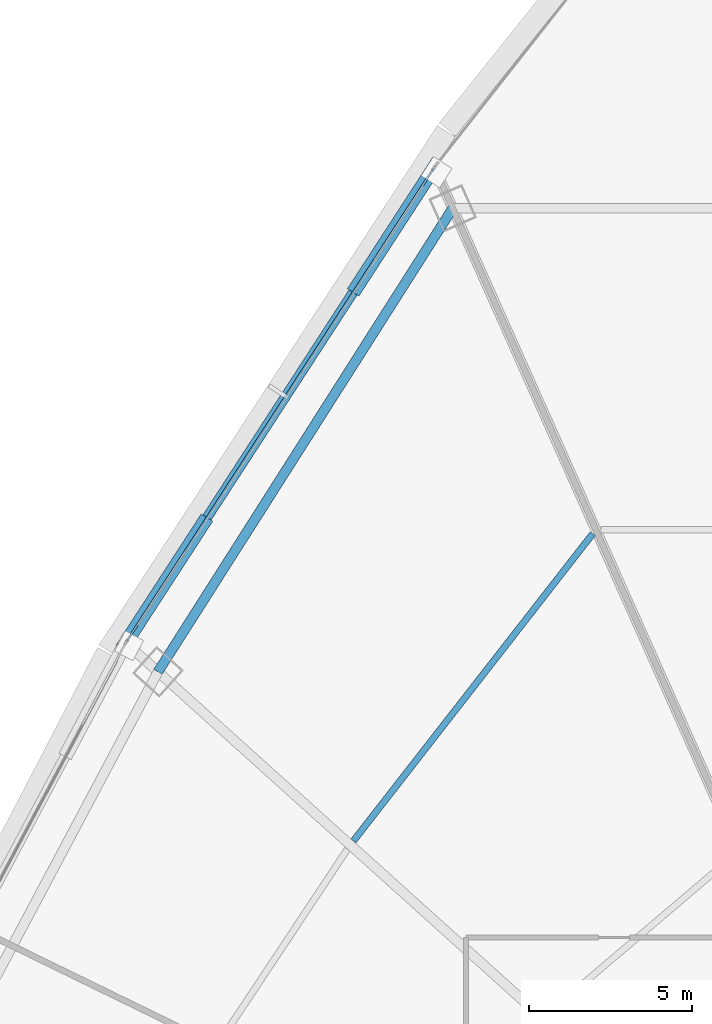
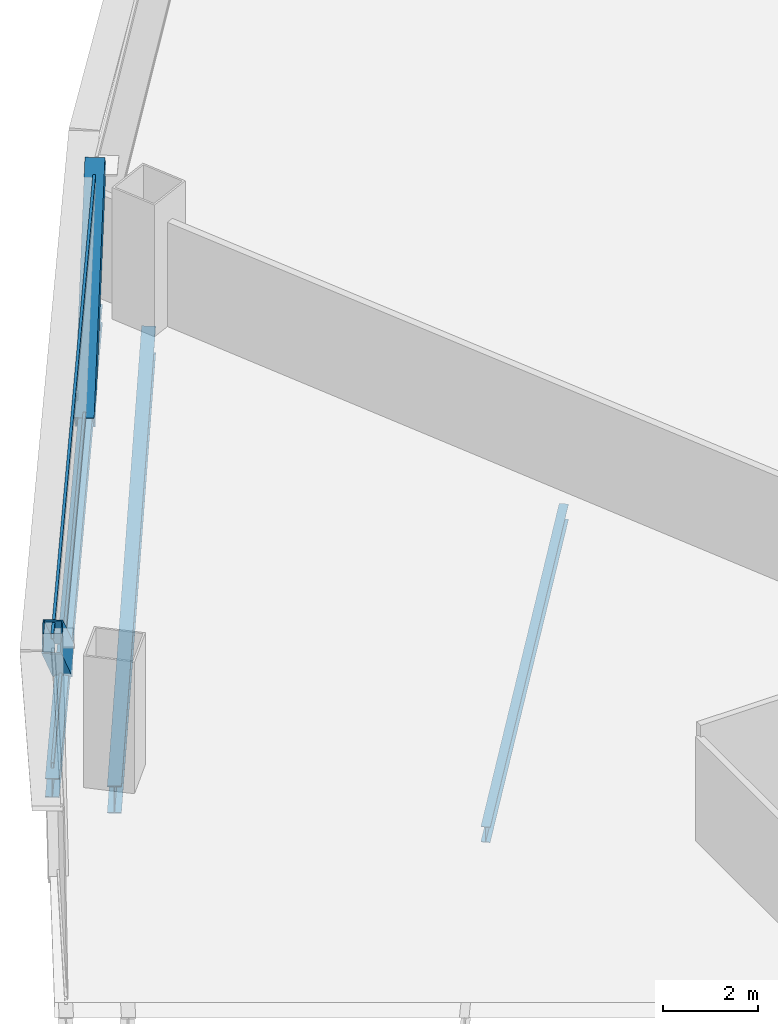
# One storey, part 17 of 37: 4 members, 3 beams, 1 element without a shape of its own.
"""IFC4 building model written with IfcOpenShell, lengths in metres."""

import ifcopenshell
import ifcopenshell.guid

model = None  # the IFC model being written
_history = None  # IfcOwnerHistory: only IFC2X3 demands one
_inside = {}  # id of a spatial element -> (the spatial element, [elements in it])
_under = {}  # id of a project, library or spatial element -> (it, [spatial elements below it])
_declared = {}  # id of a project -> (the project, [libraries it declares])
_typed = {}  # id of a type object -> (the type object, [elements of that type])
_made_of = {}  # id of a material, layer set ... -> (it, [elements and type objects made of it])


def new_model(schema):
    """Start an empty IFC model of exactly this schema.

    Asked for "IFC4X3", IfcOpenShell would pick the latest addendum, in which some entities
    have other attributes; the version numbers below select the first issue.
    IFC2X3 requires an IfcOwnerHistory on every rooted entity: one is made here for all.
    """
    global model, _history
    if schema == "IFC4X3":
        model = ifcopenshell.file(schema_version=(4, 3, 0, 0))
    else:
        model = ifcopenshell.file(schema=schema)
    _inside.clear()
    _under.clear()
    _declared.clear()
    _typed.clear()
    _made_of.clear()
    _history = None
    if model.schema == "IFC2X3":
        org = make("IfcOrganization", Name="unknown")
        user = make(
            "IfcPersonAndOrganization",
            ThePerson=make("IfcPerson", FamilyName="unknown"),
            TheOrganization=org,
        )
        app = make(
            "IfcApplication",
            ApplicationDeveloper=org,
            Version="unknown",
            ApplicationFullName="unknown",
            ApplicationIdentifier="unknown",
        )
        _history = make(
            "IfcOwnerHistory",
            OwningUser=user,
            OwningApplication=app,
            ChangeAction="ADDED",
            CreationDate=0,
        )
    return model


def make(cls, **values):
    """One entity of the class cls with the attributes given. An attribute that is None is left unset."""
    return model.create_entity(
        cls, **{name: value for name, value in values.items() if value is not None}
    )


def rooted(cls, **values):
    """An entity with a GlobalId (a new one), such as an element, a storey or a relation."""
    return make(cls, GlobalId=ifcopenshell.guid.new(), OwnerHistory=_history, **values)


def si_unit(unit_type, name, prefix=None):
    """IfcSIUnit, for example si_unit("LENGTHUNIT", "METRE", prefix="MILLI")."""
    return make("IfcSIUnit", UnitType=unit_type, Prefix=prefix, Name=name)


def assignment(units):
    """IfcUnitAssignment: the units of a project."""
    return None if units is None else make("IfcUnitAssignment", Units=units)


def point(xyz):
    """IfcCartesianPoint."""
    return None if xyz is None else make("IfcCartesianPoint", Coordinates=xyz)


def direction(xyz):
    """IfcDirection."""
    return None if xyz is None else make("IfcDirection", DirectionRatios=xyz)


def frame(location, z_axis=None, x_axis=None):
    """IfcAxis2Placement3D, a coordinate frame: its origin and axes. An axis left out is left unset."""
    return make(
        "IfcAxis2Placement3D",
        Location=point(location),
        Axis=direction(z_axis),
        RefDirection=direction(x_axis),
    )


def frame_2d(location, x_axis=None):
    """IfcAxis2Placement2D, a coordinate frame in the plane: its origin and x axis."""
    return make(
        "IfcAxis2Placement2D", Location=point(location), RefDirection=direction(x_axis)
    )


def origin():
    """The frame at (0, 0, 0) with its axes left unset."""
    return frame((0.0, 0.0, 0.0))


def origin_2d():
    """The frame at (0, 0) in the plane with its x axis left unset."""
    return frame_2d((0.0, 0.0))


def place(relative_to, where):
    """IfcLocalPlacement: puts the frame where relative to a parent placement (None: the world)."""
    return make(
        "IfcLocalPlacement", PlacementRelTo=relative_to, RelativePlacement=where
    )


def context(
    kind, dimensions, precision=None, world=None, true_north=None, identifier=None
):
    """IfcGeometricRepresentationContext, for example the 3D "Model" context."""
    return make(
        "IfcGeometricRepresentationContext",
        ContextIdentifier=identifier,
        ContextType=kind,
        CoordinateSpaceDimension=dimensions,
        Precision=precision,
        WorldCoordinateSystem=world,
        TrueNorth=true_north,
    )


def subcontext(parent, identifier, kind, view, scale=None):
    """IfcGeometricRepresentationSubContext, for example "Body" below "Model"."""
    return make(
        "IfcGeometricRepresentationSubContext",
        ContextIdentifier=identifier,
        ContextType=kind,
        ParentContext=parent,
        TargetScale=scale,
        TargetView=view,
    )


def project(units=None, contexts=None):
    """IfcProject with its units and contexts."""
    return rooted(
        "IfcProject",
        Name="project",
        RepresentationContexts=contexts,
        UnitsInContext=assignment(units),
    )


def spatial(cls, under=None, at=None, **own):
    """A site, building, storey or space (cls), placed at a placement, below another one or the project."""
    s = rooted(cls, ObjectPlacement=at, **own)
    if under is not None:
        _under.setdefault(under.id(), (under, []))[1].append(s)
    return s


def profile(cls, at=None, kind="AREA", **sizes):
    """A parametric profile (cls). Its sizes go by their IFC names, for example OverallWidth=200.0."""
    return make(cls, ProfileType=kind, Position=at, **sizes)


def hollow_rectangle(**sizes):
    """IfcRectangleHollowProfileDef."""
    return profile("IfcRectangleHollowProfileDef", **sizes)


def i_section(**sizes):
    """IfcIShapeProfileDef."""
    return profile("IfcIShapeProfileDef", **sizes)


def extrude(swept, where, along, depth):
    """IfcExtrudedAreaSolid: the profile swept, set in the frame where, extruded along a direction by depth."""
    return make(
        "IfcExtrudedAreaSolid",
        SweptArea=swept,
        Position=where,
        ExtrudedDirection=direction(along),
        Depth=depth,
    )


def shape(context_of_items, identifier, shape_type, items):
    """IfcShapeRepresentation: the items that make up one representation, for example the "Body"."""
    return make(
        "IfcShapeRepresentation",
        ContextOfItems=context_of_items,
        RepresentationIdentifier=identifier,
        RepresentationType=shape_type,
        Items=items,
    )


def source(mapping_origin, context_of_items, identifier, shape_type, items):
    """IfcRepresentationMap: a shape defined once, which mapped items show again and again."""
    return make(
        "IfcRepresentationMap",
        MappingOrigin=mapping_origin,
        MappedRepresentation=shape(context_of_items, identifier, shape_type, items),
    )


def transform(
    local_origin,
    x_axis=None,
    y_axis=None,
    z_axis=None,
    scale=None,
    scale2=None,
    scale3=None,
    uniform=True,
):
    """IfcCartesianTransformationOperator3D, or its non-uniform kind. x_axis, y_axis, z_axis: its Axis1, 2, 3."""
    if uniform:
        return make(
            "IfcCartesianTransformationOperator3D",
            Axis1=direction(x_axis),
            Axis2=direction(y_axis),
            LocalOrigin=point(local_origin),
            Scale=scale,
            Axis3=direction(z_axis),
        )
    return make(
        "IfcCartesianTransformationOperator3DnonUniform",
        Axis1=direction(x_axis),
        Axis2=direction(y_axis),
        LocalOrigin=point(local_origin),
        Scale=scale,
        Axis3=direction(z_axis),
        Scale2=scale2,
        Scale3=scale3,
    )


def mapped(mapping_source, mapping_target):
    """IfcMappedItem: shows the shape of a source again, moved by a transform."""
    return make(
        "IfcMappedItem", MappingSource=mapping_source, MappingTarget=mapping_target
    )


def material(Name=None, Category=None):
    """IfcMaterial."""
    return make("IfcMaterial", Name=Name, Category=Category)


def layer(
    of_material, thickness, ventilated=None, Name=None, Category=None, Priority=None
):
    """IfcMaterialLayer: one layer of a wall or slab, of a material (None: an air gap)."""
    return make(
        "IfcMaterialLayer",
        Material=of_material,
        LayerThickness=thickness,
        IsVentilated=ventilated,
        Name=Name,
        Category=Category,
        Priority=Priority,
    )


def layer_set(layers, Name=None):
    """IfcMaterialLayerSet."""
    return make("IfcMaterialLayerSet", MaterialLayers=layers, LayerSetName=Name)


def material_profile(
    of_material, cross_section, Name=None, Category=None, Priority=None
):
    """IfcMaterialProfile: a cross section and its material."""
    return make(
        "IfcMaterialProfile",
        Name=Name,
        Material=of_material,
        Profile=cross_section,
        Priority=Priority,
        Category=Category,
    )


def profile_set(profiles, Name=None, composite=None):
    """IfcMaterialProfileSet."""
    return make(
        "IfcMaterialProfileSet",
        Name=Name,
        MaterialProfiles=profiles,
        CompositeProfile=composite,
    )


def made_of(thing, what):
    """Note that an element or type object is made of a material, layer set ...; save() writes the relation."""
    if what is not None:
        _made_of.setdefault(what.id(), (what, []))[1].append(thing)
    return thing


def type_object(cls, material=None, **own):
    """A type object (cls), such as IfcWallType, which elements share."""
    return made_of(rooted(cls, **own), material)


def element(
    cls,
    number,
    at=None,
    inside=None,
    cuts=None,
    type_object=None,
    material=None,
    context=None,
    identifier="Body",
    shape_type=None,
    held_by="IfcProductDefinitionShape",
    body=None,
    shapes=None,
    **own,
):
    """One element of the class cls, such as IfcWall. Its Tag is "e" and its number.

    at: its placement. inside: the storey or other place that contains it. cuts: it is an
    opening in that element (IfcRelVoidsElement). A single representation is given by context,
    identifier, shape_type and body (its items); several are given by shapes. held_by: the class
    of the entity that holds the representations. save() writes the other relations.
    """
    e = rooted(cls, Tag="e%d" % number, ObjectPlacement=at, **own)
    if body is not None:
        shapes = [shape(context, identifier, shape_type, body)]
    if shapes is not None:
        e.Representation = make(held_by, Representations=shapes)
    if inside is not None:
        _inside.setdefault(inside.id(), (inside, []))[1].append(e)
    if cuts is not None:
        rooted(
            "IfcRelVoidsElement", RelatingBuildingElement=cuts, RelatedOpeningElement=e
        )
    if type_object is not None:
        _typed.setdefault(type_object.id(), (type_object, []))[1].append(e)
    return made_of(e, material)


def aggregate(whole, parts):
    """IfcRelAggregates: a whole, such as a stair, and the parts it consists of."""
    return rooted("IfcRelAggregates", RelatingObject=whole, RelatedObjects=parts)


def save(model, path):
    """Write the relations noted so far, then the file.

    IfcRelAggregates (storeys below a building ...), IfcRelContainedInSpatialStructure (elements
    in a storey), IfcRelDefinesByType, IfcRelAssociatesMaterial and IfcRelDeclares: one each for
    every whole, place, type object, material and project.
    """
    for whole, parts in _under.values():
        aggregate(whole, parts)
    for where, things in _inside.values():
        rooted(
            "IfcRelContainedInSpatialStructure",
            RelatedElements=things,
            RelatingStructure=where,
        )
    for kind, things in _typed.values():
        rooted("IfcRelDefinesByType", RelatedObjects=things, RelatingType=kind)
    for what, things in _made_of.values():
        rooted("IfcRelAssociatesMaterial", RelatedObjects=things, RelatingMaterial=what)
    for by, libraries in _declared.values():
        rooted("IfcRelDeclares", RelatingContext=by, RelatedDefinitions=libraries)
    model.write(path)


model = new_model("IFC4")

# Units and contexts
model_context = context("Model", 3, precision=1e-05, world=origin(), true_north=direction((0.0, 1.0)))
body_context = subcontext(model_context, "Body", "Model", "MODEL_VIEW")
ifc_project = project(units=[si_unit("LENGTHUNIT", "METRE"), si_unit("AREAUNIT", "SQUARE_METRE"), si_unit("VOLUMEUNIT", "CUBIC_METRE"), si_unit("PLANEANGLEUNIT", "RADIAN"), si_unit("MASSUNIT", "GRAM", prefix="KILO"), si_unit("THERMODYNAMICTEMPERATUREUNIT", "KELVIN"), si_unit("POWERUNIT", "WATT")], contexts=[model_context])

# Site, building, storey
site_placement = place(None, origin())
site = spatial("IfcSite", under=ifc_project, at=site_placement, CompositionType="ELEMENT")
building_placement = place(site_placement, origin())
building = spatial("IfcBuilding", under=site, at=building_placement, Name="Yunzhuo Pagoda Commons", CompositionType="ELEMENT")
storey_placement = place(building_placement, frame((0.0, 0.0, 59.43994140625)))
storey = spatial("IfcBuildingStorey", under=building, at=storey_placement, Name="L15", CompositionType="ELEMENT", Elevation=59.43994140625)

# Beams
ifc_material_1 = material(Name="Structural steel Q355B", Category="steel")
ifc_material_profile_1 = material_profile(ifc_material_1, i_section(OverallWidth=0.300048828125, OverallDepth=0.699951171875, WebThickness=0.012939453125, FlangeThickness=0.02392578125, at=origin_2d()), Name="Structural steel Q355B")
ifc_profile_set_1 = profile_set([ifc_material_profile_1], Name="Structural steel Q355B")
beam_type_1 = type_object("IfcBeamType", Name="B-RG1 Beam HN 700x300x13x24", PredefinedType="BEAM", material=ifc_profile_set_1)
shared_shape_1 = source(origin(), body_context, "Body", "SweptSolid", [
    extrude(i_section(OverallWidth=0.300048828125, OverallDepth=0.699951171875, WebThickness=0.012939453125, FlangeThickness=0.02392578125, at=origin_2d()), origin(), (0.0, 0.0, 1.0), 16.843994140625),
])
beam_1_placement = place(storey_placement, frame((31.38916015625, 71.008544921875, -0.60986328125), z_axis=(-0.536558458992, -0.843863152462, 0.0), x_axis=(0.843863152462, -0.536558458992, 0.0)))
element("IfcBeam", 1, at=beam_1_placement, inside=storey, type_object=beam_type_1, Name="L15 column-ring beam 9", PredefinedType="BEAM", context=body_context, shape_type="MappedRepresentation", body=[
    mapped(shared_shape_1, transform((0.0, 0.0, 0.0), scale=1.0)),
])
ifc_material_profile_2 = material_profile(ifc_material_1, i_section(OverallWidth=0.199951171875, OverallDepth=0.39990234375, WebThickness=0.008056640625, FlangeThickness=0.012939453125, at=origin_2d()), Name="Structural steel Q355B")
ifc_profile_set_2 = profile_set([ifc_material_profile_2], Name="Structural steel Q355B")
beam_type_2 = type_object("IfcBeamType", Name="B-JS1 Joist HN 400x200x8x13", PredefinedType="JOIST", material=ifc_profile_set_2)
shared_shape_2 = source(origin(), body_context, "Body", "SweptSolid", [
    extrude(i_section(OverallWidth=0.199951171875, OverallDepth=0.39990234375, WebThickness=0.008056640625, FlangeThickness=0.012939453125, at=origin_2d()), origin(), (0.0, 0.0, 1.0), 11.934326171875),
])
beam_2_placement = place(storey_placement, frame((35.680908203125, 61.0244140625, -0.459716796875), z_axis=(-0.614546587023, -0.788880531119, 0.0), x_axis=(0.788880531119, -0.614546587023, 0.0)))
element("IfcBeam", 2, at=beam_2_placement, inside=storey, type_object=beam_type_2, Name="L15 composite ring joist 2.9", PredefinedType="JOIST", context=body_context, shape_type="MappedRepresentation", body=[
    mapped(shared_shape_2, transform((0.0, 0.0, 0.0), scale=1.0)),
])
ifc_material_profile_3 = material_profile(ifc_material_1, i_section(OverallWidth=0.300048828125, OverallDepth=0.488037109375, WebThickness=0.010986328125, FlangeThickness=0.01806640625, at=origin_2d()), Name="Structural steel Q355B")
ifc_profile_set_3 = profile_set([ifc_material_profile_3], Name="Structural steel Q355B")
beam_type_3 = type_object("IfcBeamType", Name="B-SP1 Beam HM 488x300x11x18", PredefinedType="BEAM", material=ifc_profile_set_3)
shared_shape_3 = source(origin(), body_context, "Body", "SweptSolid", [
    extrude(i_section(OverallWidth=0.300048828125, OverallDepth=0.488037109375, WebThickness=0.010986328125, FlangeThickness=0.01806640625, at=origin_2d()), origin(), (0.0, 0.0, 1.0), 17.38671875),
])
beam_3_placement = place(storey_placement, frame((30.828369140625, 72.2685546875, -0.50390625), z_axis=(-0.544473954906, -0.838777749126, 0.0), x_axis=(0.838777749126, -0.544473954906, 0.0)))
element("IfcBeam", 3, at=beam_3_placement, inside=storey, type_object=beam_type_3, Name="L15 facade edge spandrel beam F3.1", PredefinedType="BEAM", context=body_context, shape_type="MappedRepresentation", body=[
    mapped(shared_shape_3, transform((0.0, 0.0, 0.0), scale=1.0)),
])

# Members
ifc_material_2 = material(Name="Structural steel Q420B", Category="steel")
ifc_material_profile_4 = material_profile(ifc_material_2, hollow_rectangle(XDim=0.419921875, YDim=0.719970703125, WallThickness=0.028076171875, at=origin_2d()), Name="Structural steel Q420B")
ifc_profile_set_4 = profile_set([ifc_material_profile_4], Name="Structural steel Q420B")
member_type_1 = type_object("IfcMemberType", Name="M-DL1 Brace BOX 720x420x28", PredefinedType="BRACE", material=ifc_profile_set_4)
shared_shape_4 = source(origin(), body_context, "Body", "SweptSolid", [
    extrude(hollow_rectangle(XDim=0.419921875, YDim=0.719970703125, WallThickness=0.028076171875, at=origin_2d()), origin(), (0.0, 0.0, 1.0), 5.663330078125),
])
for number, where, z_axis, x_axis, name in (
    (4, (28.461669921875, 68.62255859375, -0.260009765625), (0.417904945732, 0.643799510993, 0.640997383752), (-0.838779661722, 0.544471008486, 0.0), "L15 facade diamond brace F3.1L"),
    (5, (23.728515625, 61.3310546875, -0.260009765625), (-0.417904945732, -0.643799510993, 0.640997383752), (0.838779661722, -0.544471008486, 0.0), "L15 facade diamond brace F3.1R"),
):
    element("IfcMember", number, at=place(storey_placement, frame(where, z_axis=z_axis, x_axis=x_axis)), inside=storey, type_object=member_type_1, Name=name, PredefinedType="BRACE", context=body_context, shape_type="MappedRepresentation", body=[
        mapped(shared_shape_4, transform((0.0, 0.0, 0.0), scale=1.0)),
    ])

# Curtain wall, members
ifc_material_3 = material(Name="Anodized aluminium 6063-T6", Category="aluminium")
ifc_layer = layer(ifc_material_3, 0.1650390625)
ifc_layer_set = layer_set([ifc_layer], Name="Anodized aluminium 6063-T6")
curtain_wall_type = type_object("IfcCurtainWallType", Name="CW-LOW Low-Zone Ribbon Curtain Wall", PredefinedType="NOTDEFINED", material=ifc_layer_set)
curtain_wall_placement = place(storey_placement, origin())
curtain_wall = element("IfcCurtainWall", 6, at=curtain_wall_placement, inside=storey, type_object=curtain_wall_type, Name="L15 curtain wall CW-L15-F3B2", PredefinedType="NOTDEFINED")
ifc_material_profile_5 = material_profile(ifc_material_3, hollow_rectangle(XDim=0.06005859375, YDim=0.139892578125, WallThickness=0.00341796875, at=origin_2d()), Name="Anodized aluminium 6063-T6")
ifc_profile_set_5 = profile_set([ifc_material_profile_5], Name="Anodized aluminium 6063-T6")
member_type_2 = type_object("IfcMemberType", Name="CW-LOW-T Transom RHS 140x60x3.5", PredefinedType="USERDEFINED", material=ifc_profile_set_5)
shared_shape_5 = source(origin(), body_context, "Body", "SweptSolid", [
    extrude(hollow_rectangle(XDim=0.06005859375, YDim=0.139892578125, WallThickness=0.00341796875, at=origin_2d()), origin(), (0.0, 0.0, 1.0), 17.256591796875),
])
member_1_placement = place(storey_placement, frame((30.79296875, 72.2138671875, 0.030029296875), z_axis=(-0.544475548743, -0.83877671452, 0.0), x_axis=(0.83877671452, -0.544475548743, 0.0)))
member_1 = element("IfcMember", 7, at=member_1_placement, type_object=member_type_2, Name="CW transom 1.1", ObjectType="TRANSOM", PredefinedType="USERDEFINED", context=body_context, shape_type="MappedRepresentation", body=[
    mapped(shared_shape_5, transform((0.0, 0.0, 0.0), scale=1.0)),
])
member_2_placement = place(storey_placement, frame((30.79296875, 72.2138671875, 3.340087890625), z_axis=(-0.544475548743, -0.83877671452, 0.0), x_axis=(0.83877671452, -0.544475548743, 0.0)))
member_2 = element("IfcMember", 8, at=member_2_placement, type_object=member_type_2, Name="CW transom 1.2", ObjectType="TRANSOM", PredefinedType="USERDEFINED", context=body_context, shape_type="MappedRepresentation", body=[
    mapped(shared_shape_5, transform((0.0, 0.0, 0.0), scale=1.0)),
])
aggregate(curtain_wall, [member_1, member_2])

save(model, "model.ifc")
